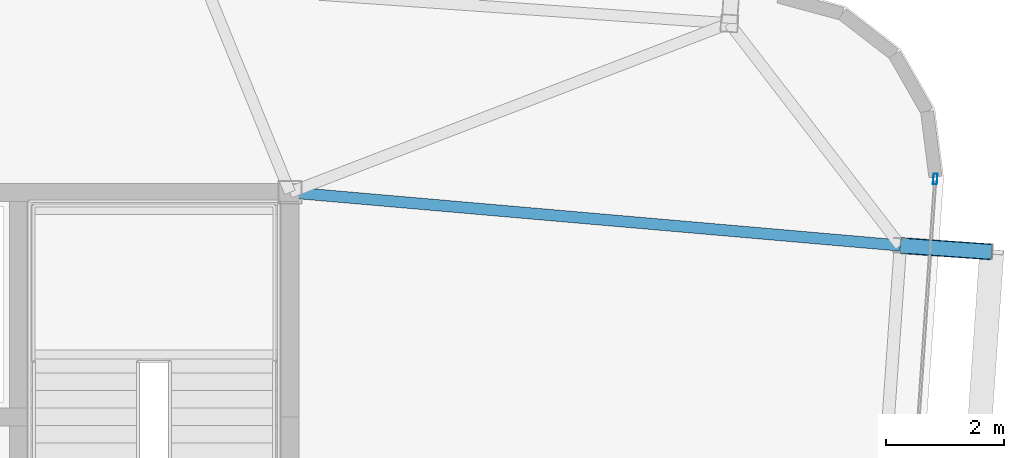
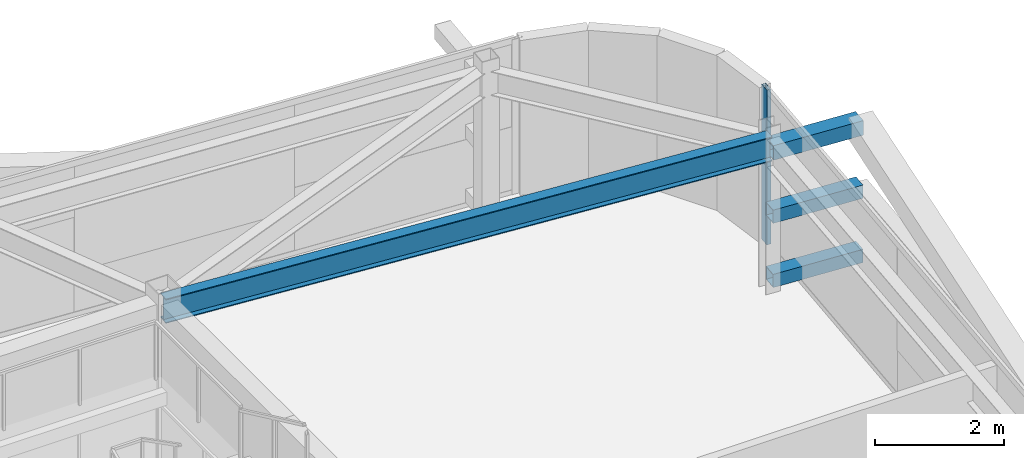
# One storey, part 18 of 39: 4 members, 1 beam, 1 element without a shape of its own.
"""IFC4 building model written with IfcOpenShell, lengths in metres."""

from ifc_helpers import new_model, si_unit, direction, frame, origin, origin_2d, place, context, subcontext, project, spatial, hollow_rectangle, i_section, extrude, source, transform, mapped, material, layer, layer_set, material_profile, profile_set, type_object, element, aggregate, save


model = new_model("IFC4")

# Units and contexts
model_context = context("Model", 3, precision=1e-05, world=origin(), true_north=direction((0.0, 1.0)))
body_context = subcontext(model_context, "Body", "Model", "MODEL_VIEW")
ifc_project = project(units=[si_unit("LENGTHUNIT", "METRE"), si_unit("AREAUNIT", "SQUARE_METRE"), si_unit("VOLUMEUNIT", "CUBIC_METRE"), si_unit("PLANEANGLEUNIT", "RADIAN"), si_unit("MASSUNIT", "GRAM", prefix="KILO")], contexts=[model_context])

# Site, building, storey
site_placement = place(None, origin())
site = spatial("IfcSite", under=ifc_project, at=site_placement, CompositionType="ELEMENT")
building_placement = place(site_placement, origin())
building = spatial("IfcBuilding", under=site, at=building_placement, Name="Taldren Reach Tower", CompositionType="ELEMENT")
storey_placement = place(building_placement, frame((0.0, 0.0, 129.85009765625)))
storey = spatial("IfcBuildingStorey", under=building, at=storey_placement, Name="L39", CompositionType="ELEMENT", Elevation=129.85009765625)

# Members
ifc_material_1 = material(Name="Steel Gr 450 (C450L0)", Category="steel")
ifc_material_profile_1 = material_profile(ifc_material_1, hollow_rectangle(XDim=0.27490234375, YDim=0.27490234375, WallThickness=0.00927734375, at=origin_2d()), Name="275x275x9.3SHS")
ifc_profile_set_1 = profile_set([ifc_material_profile_1], Name="Steel Gr 450 (C450L0)")
member_type_1 = type_object("IfcMemberType", Name="MB-TIE273", PredefinedType="STRUT", material=ifc_profile_set_1)
shared_shape_1 = source(origin(), body_context, "Body", "SweptSolid", [
    extrude(hollow_rectangle(XDim=0.27490234375, YDim=0.27490234375, WallThickness=0.00927734375, at=origin_2d()), origin(), (0.0, 0.0, 1.0), 1.550048828125),
])
member_1_placement = place(storey_placement, frame((61.3310546875, 31.1005859375, 2.64990234375), z_axis=(0.99756313426, -0.06976957191, 0.0), x_axis=(0.06976957191, 0.99756313426, 0.0)))
element("IfcMember", 1, at=member_1_placement, inside=storey, type_object=member_type_1, Name="Exoskeleton diaphragm tie strut B3-E3 L39", PredefinedType="STRUT", context=body_context, shape_type="MappedRepresentation", body=[
    mapped(shared_shape_1, transform((0.0, 0.0, 0.0), scale=1.0)),
])
ifc_material_2 = material(Name="Steel Gr 350 (C350L0)", Category="steel")
ifc_material_profile_2 = material_profile(ifc_material_2, hollow_rectangle(XDim=0.25, YDim=0.25, WallThickness=0.010009765625, at=origin_2d()), Name="250x250x10.0SHS")
ifc_profile_set_2 = profile_set([ifc_material_profile_2], Name="Steel Gr 350 (C350L0)")
member_type_2 = type_object("IfcMemberType", Name="MB-POST250", PredefinedType="POST", material=ifc_profile_set_2)
shared_shape_2 = source(origin(), body_context, "Body", "SweptSolid", [
    extrude(hollow_rectangle(XDim=0.25, YDim=0.25, WallThickness=0.010009765625, at=origin_2d()), origin(), (0.0, 0.0, 1.0), 1.550048828125),
])
for number, where, z_axis, x_axis, name in (
    (2, (61.3310546875, 31.1005859375, 0.219970703125), (0.99756313426, -0.06976957191, 0.0), (0.06976957191, 0.99756313426, 0.0), "Exoskeleton base diaphragm tie strut B3-E3 L39"),
    (3, (61.3310546875, 31.1005859375, 1.434814453125), (0.99756313426, -0.06976957191, 0.0), (0.06976957191, 0.99756313426, 0.0), "Exoskeleton mid-tier diaphragm tie B3-E3 L39"),
):
    element("IfcMember", number, at=place(storey_placement, frame(where, z_axis=z_axis, x_axis=x_axis)), inside=storey, type_object=member_type_2, Name=name, PredefinedType="POST", context=body_context, shape_type="MappedRepresentation", body=[
        mapped(shared_shape_2, transform((0.0, 0.0, 0.0), scale=1.0)),
    ])

# Beam
ifc_material_3 = material(Name="Steel Gr 350 (350PLUS)", Category="steel")
ifc_material_profile_3 = material_profile(ifc_material_3, i_section(OverallWidth=0.19091796875, OverallDepth=0.4599609375, WebThickness=0.010009765625, FlangeThickness=0.01611328125, at=origin_2d()), Name="460UB82.1")
ifc_profile_set_3 = profile_set([ifc_material_profile_3], Name="Steel Gr 350 (350PLUS)")
beam_type = type_object("IfcBeamType", Name="BM-UB460A", PredefinedType="BEAM", material=ifc_profile_set_3)
shared_shape_3 = source(origin(), body_context, "Body", "SweptSolid", [
    extrude(i_section(OverallWidth=0.19091796875, OverallDepth=0.4599609375, WebThickness=0.010009765625, FlangeThickness=0.01611328125, at=origin_2d()), origin(), (0.0, 0.0, 1.0), 10.3701171875),
])
beam_placement = place(storey_placement, frame((51.0, 32.0, 2.699951171875), z_axis=(0.996231748992, -0.086731207186, 0.0), x_axis=(0.086731207186, 0.996231748992, 0.0)))
element("IfcBeam", 4, at=beam_placement, inside=storey, type_object=beam_type, Name="Primary floor girder B3-E3 L39", PredefinedType="BEAM", context=body_context, shape_type="MappedRepresentation", body=[
    mapped(shared_shape_3, transform((0.0, 0.0, 0.0), scale=1.0)),
])

# Curtain wall, member
ifc_material_4 = material(Name="Aluminium and Low-E Glass Unitised System", Category="aluminium")
ifc_layer = layer(ifc_material_4, 0.159912109375)
ifc_layer_set = layer_set([ifc_layer], Name="Aluminium and Low-E Glass Unitised System")
curtain_wall_type = type_object("IfcCurtainWallType", Name="CW-SYS-4", PredefinedType="NOTDEFINED", material=ifc_layer_set)
curtain_wall_placement = place(storey_placement, origin())
curtain_wall = element("IfcCurtainWall", 5, at=curtain_wall_placement, inside=storey, type_object=curtain_wall_type, Name="Unitised curtain wall CW-L39-E", PredefinedType="NOTDEFINED")
ifc_material_5 = material(Name="Anodised Aluminium 6063-T6", Category="aluminium")
ifc_material_profile_4 = material_profile(ifc_material_5, hollow_rectangle(XDim=0.070068359375, YDim=0.179931640625, WallThickness=0.00390625, at=origin_2d()), Name="ALU-180x70x4RHS")
ifc_profile_set_4 = profile_set([ifc_material_profile_4], Name="Anodised Aluminium 6063-T6")
member_type_3 = type_object("IfcMemberType", Name="CW-MUL-180", PredefinedType="MULLION", material=ifc_profile_set_4)
shared_shape_4 = source(origin(), body_context, "Body", "SweptSolid", [
    extrude(hollow_rectangle(XDim=0.070068359375, YDim=0.179931640625, WallThickness=0.00390625, at=origin_2d()), origin(), (0.0, 0.0, 1.0), 2.929931640625),
])
member_2_placement = place(storey_placement, frame((61.921142578125, 32.22705078125, 0.0), z_axis=(0.0, 0.0, 1.0), x_axis=(-0.997564052812, 0.069756437251, 0.0)))
member_2 = element("IfcMember", 6, at=member_2_placement, type_object=member_type_3, Name="CW-4 mullion 3", PredefinedType="MULLION", context=body_context, shape_type="MappedRepresentation", body=[
    mapped(shared_shape_4, transform((0.0, 0.0, 0.0), scale=1.0)),
])
aggregate(curtain_wall, [member_2])

save(model, "model.ifc")
